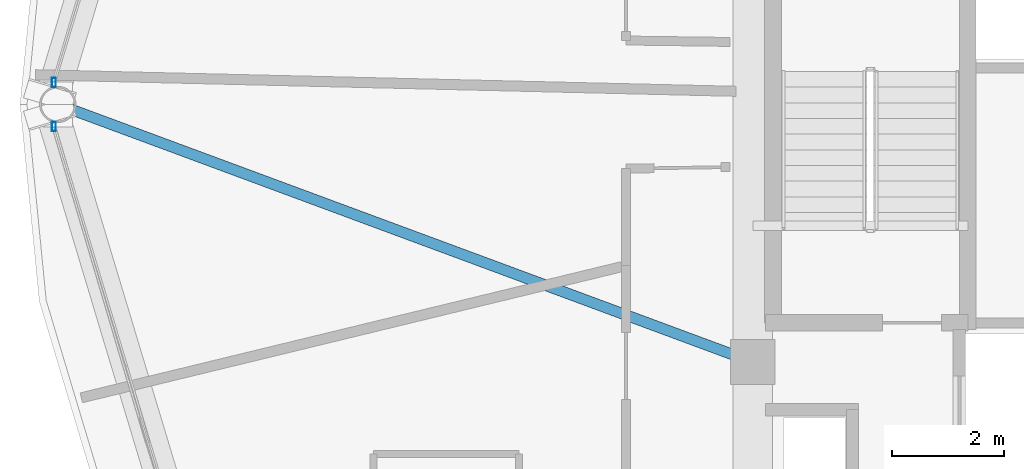
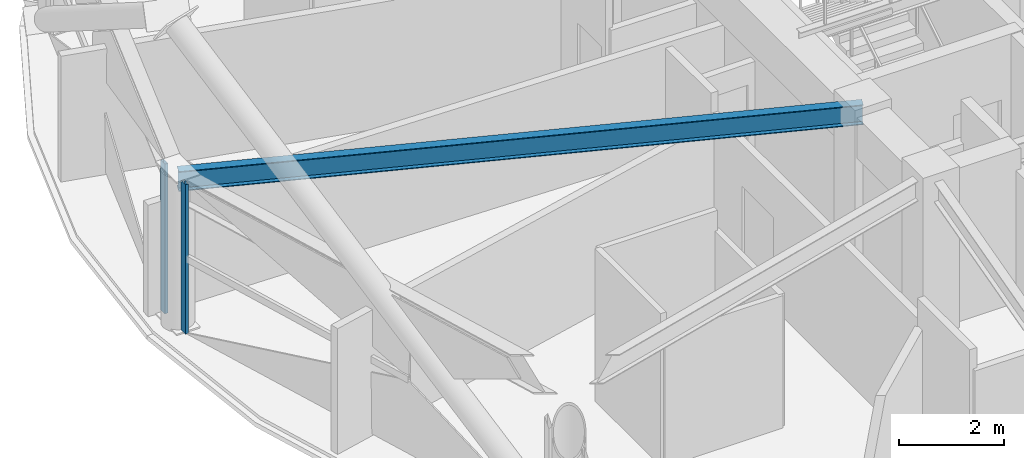
# One storey, part 7 of 29: 2 members, 1 beam, 2 elements without a shape of their own.
"""IFC4 building model written with IfcOpenShell, lengths in metres."""

from ifc_helpers import new_model, si_unit, direction, frame, origin, origin_2d, place, context, subcontext, project, spatial, hollow_rectangle, i_section, extrude, material, layer, layer_set, material_profile, profile_set, type_object, element, aggregate, save


model = new_model("IFC4")

# Units and contexts
model_context = context("Model", 3, precision=1e-05, world=origin(), true_north=direction((0.0, 1.0)))
body_context = subcontext(model_context, "Body", "Model", "MODEL_VIEW")
ifc_project = project(units=[si_unit("LENGTHUNIT", "METRE"), si_unit("AREAUNIT", "SQUARE_METRE"), si_unit("VOLUMEUNIT", "CUBIC_METRE"), si_unit("PLANEANGLEUNIT", "RADIAN"), si_unit("MASSUNIT", "GRAM", prefix="KILO")], contexts=[model_context])

# Site, building, storey
site_placement = place(None, origin())
site = spatial("IfcSite", under=ifc_project, at=site_placement, CompositionType="ELEMENT")
building_placement = place(site_placement, origin())
building = spatial("IfcBuilding", under=site, at=building_placement, Name="Vantalir Tower", CompositionType="ELEMENT")
storey_placement = place(building_placement, frame((0.0, 0.0, 219.89990234375)))
storey = spatial("IfcBuildingStorey", under=building, at=storey_placement, Name="L55", CompositionType="ELEMENT", Elevation=219.89990234375)

# Beam
ifc_material_1 = material(Name="Steel S355", Category="steel")
ifc_material_profile_1 = material_profile(ifc_material_1, i_section(OverallWidth=0.19189453125, OverallDepth=0.462890625, WebThickness=0.010498046875, FlangeThickness=0.017578125, at=origin_2d()), Name="Steel S355")
ifc_profile_set_1 = profile_set([ifc_material_profile_1], Name="Steel S355")
beam_type = type_object("IfcBeamType", Name="BM-RB-457x191", PredefinedType="BEAM", material=ifc_profile_set_1)
beam_placement = place(storey_placement, frame((9.487060546875, 25.0, 3.338134765625), z_axis=(0.937681112374, -0.34749695178, 0.0), x_axis=(0.34749695178, 0.937681112374, 0.0)))
element("IfcBeam", 1, at=beam_placement, inside=storey, type_object=beam_type, Name="L55 Radial Floor Beam 07", PredefinedType="BEAM", context=body_context, shape_type="SweptSolid", body=[
    extrude(i_section(OverallWidth=0.19189453125, OverallDepth=0.462890625, WebThickness=0.010498046875, FlangeThickness=0.017578125, at=origin_2d()), origin(), (0.0, 0.0, 1.0), 13.23779296875),
])

# Curtain wall, member
ifc_material_2 = material(Name="Champagne-silver PVDF aluminium and double-silver Low-E glass", Category="aluminium")
ifc_layer = layer(ifc_material_2, 0.2099609375)
ifc_layer_set = layer_set([ifc_layer], Name="Champagne-silver PVDF aluminium and double-silver Low-E glass")
curtain_wall_type = type_object("IfcCurtainWallType", Name="CW-DIAMOND-Z3", PredefinedType="USERDEFINED", material=ifc_layer_set)
curtain_wall_1_placement = place(storey_placement, origin())
curtain_wall_1 = element("IfcCurtainWall", 2, at=curtain_wall_1_placement, inside=storey, type_object=curtain_wall_type, Name="L55 Quilted Pyramid-Diamond Curtain Wall S06", ObjectType="UNITISED CURTAIN WALL", PredefinedType="USERDEFINED")
ifc_material_3 = material(Name="Champagne-silver PVDF aluminium 6063-T6", Category="aluminium")
ifc_material_profile_2 = material_profile(ifc_material_3, hollow_rectangle(XDim=0.070068359375, YDim=0.1650390625, WallThickness=0.00390625, at=origin_2d()), Name="Champagne-silver PVDF aluminium 6063-T6")
ifc_profile_set_2 = profile_set([ifc_material_profile_2], Name="Champagne-silver PVDF aluminium 6063-T6")
member_type = type_object("IfcMemberType", Name="CWM-165x70", PredefinedType="MULLION", material=ifc_profile_set_2)
member_1_placement = place(storey_placement, frame((9.4150390625, 25.39306640625, 0.045166015625), z_axis=(0.0, 0.0, 1.0), x_axis=(1.0, 0.0, 0.0)))
member_1 = element("IfcMember", 3, at=member_1_placement, type_object=member_type, Name="CW-L55-S06 Mullion 2", PredefinedType="MULLION", context=body_context, shape_type="SweptSolid", body=[
    extrude(hollow_rectangle(XDim=0.070068359375, YDim=0.1650390625, WallThickness=0.00390625, at=origin_2d()), origin(), (0.0, 0.0, 1.0), 3.47998046875),
])
aggregate(curtain_wall_1, [member_1])

curtain_wall_2_placement = place(storey_placement, origin())
curtain_wall_2 = element("IfcCurtainWall", 4, at=curtain_wall_2_placement, inside=storey, type_object=curtain_wall_type, Name="L55 Quilted Pyramid-Diamond Curtain Wall S07", ObjectType="UNITISED CURTAIN WALL", PredefinedType="USERDEFINED")
member_2_placement = place(storey_placement, frame((9.4150390625, 24.60693359375, 0.045166015625), z_axis=(0.0, 0.0, 1.0), x_axis=(1.0, 0.0, 0.0)))
member_2 = element("IfcMember", 5, at=member_2_placement, type_object=member_type, Name="CW-L55-S07 Mullion 1", PredefinedType="MULLION", context=body_context, shape_type="SweptSolid", body=[
    extrude(hollow_rectangle(XDim=0.070068359375, YDim=0.1650390625, WallThickness=0.00390625, at=origin_2d()), origin(), (0.0, 0.0, 1.0), 3.47998046875),
])
aggregate(curtain_wall_2, [member_2])

save(model, "model.ifc")
